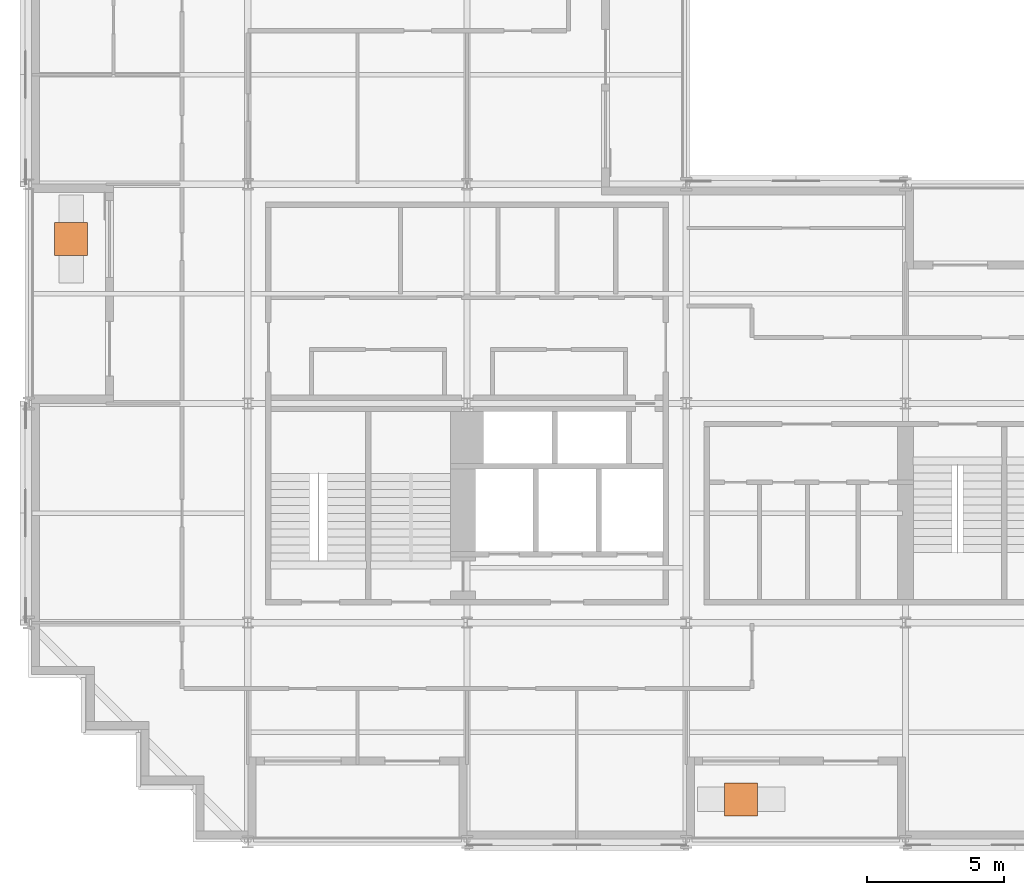
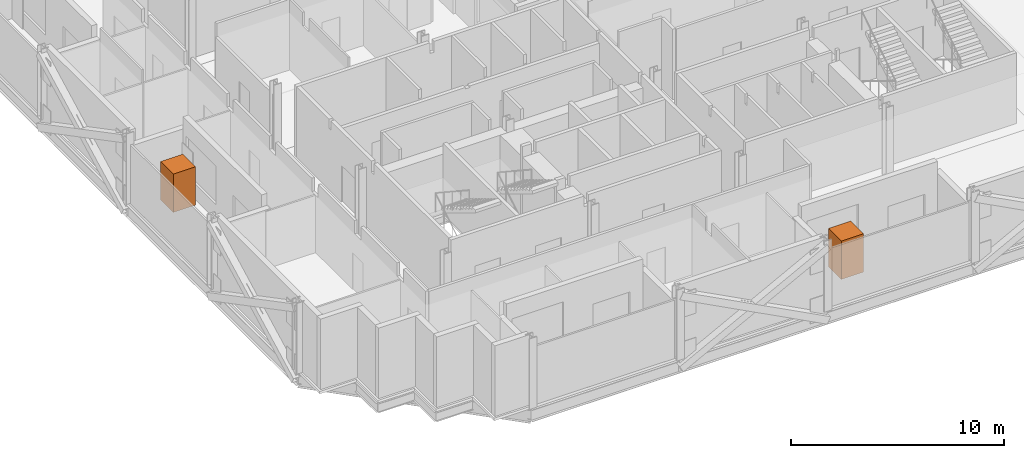
# One storey, part 13 of 13: 2 geographic elements.
"""IFC4 building model written with IfcOpenShell, lengths in metres."""

from ifc_helpers import new_model, si_unit, direction, frame, origin, origin_2d, place, context, subcontext, project, spatial, rectangle, extrude, material, type_object, element, save


model = new_model("IFC4")

# Units and contexts
model_context = context("Model", 3, precision=1e-05, world=origin(), true_north=direction((0.0, 1.0)))
body_context = subcontext(model_context, "Body", "Model", "MODEL_VIEW")
ifc_project = project(units=[si_unit("LENGTHUNIT", "METRE"), si_unit("AREAUNIT", "SQUARE_METRE"), si_unit("VOLUMEUNIT", "CUBIC_METRE"), si_unit("PLANEANGLEUNIT", "RADIAN"), si_unit("MASSUNIT", "GRAM", prefix="KILO")], contexts=[model_context])

# Site, building, storey
site_placement = place(None, origin())
site = spatial("IfcSite", under=ifc_project, at=site_placement, CompositionType="ELEMENT")
building_placement = place(site_placement, origin())
building = spatial("IfcBuilding", under=site, at=building_placement, Name="Immortelle Media Tower", CompositionType="ELEMENT")
storey_placement = place(building_placement, frame((0.0, 0.0, 128.39990234375)))
storey = spatial("IfcBuildingStorey", under=building, at=storey_placement, Name="L25", CompositionType="ELEMENT", Elevation=128.39990234375)

# Geographic elements
ifc_material = material(Name="Tree canopy foliage")
geographic_element_type = type_object("IfcGeographicElementType", Name="Tree", PredefinedType="USERDEFINED", material=ifc_material)
for number, where, z_axis, x_axis, name in (
    (1, (26.0, 1.550048828125, 0.60009765625), (0.0, 0.0, 1.0), (1.0, 0.0, 0.0), "Tree L25 S2"),
    (2, (1.550048828125, 22.0, 0.60009765625), (0.0, 0.0, 1.0), (1.0, 0.0, 0.0), "Tree L25 W2"),
):
    element("IfcGeographicElement", number, at=place(storey_placement, frame(where, z_axis=z_axis, x_axis=x_axis)), inside=storey, type_object=geographic_element_type, Name=name, ObjectType="Tree", PredefinedType="USERDEFINED", context=body_context, shape_type="SweptSolid", body=[
        extrude(rectangle(XDim=1.199951171875, YDim=1.199951171875, at=origin_2d()), origin(), (0.0, 0.0, 1.0), 2.199951171875),
    ])

save(model, "model.ifc")
